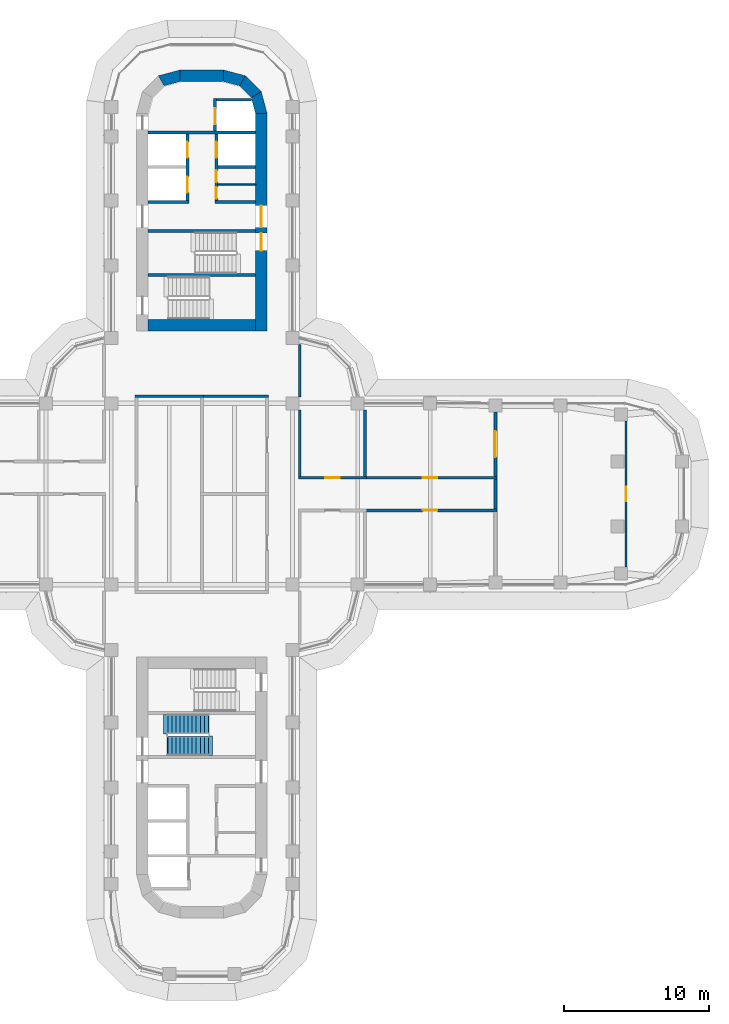
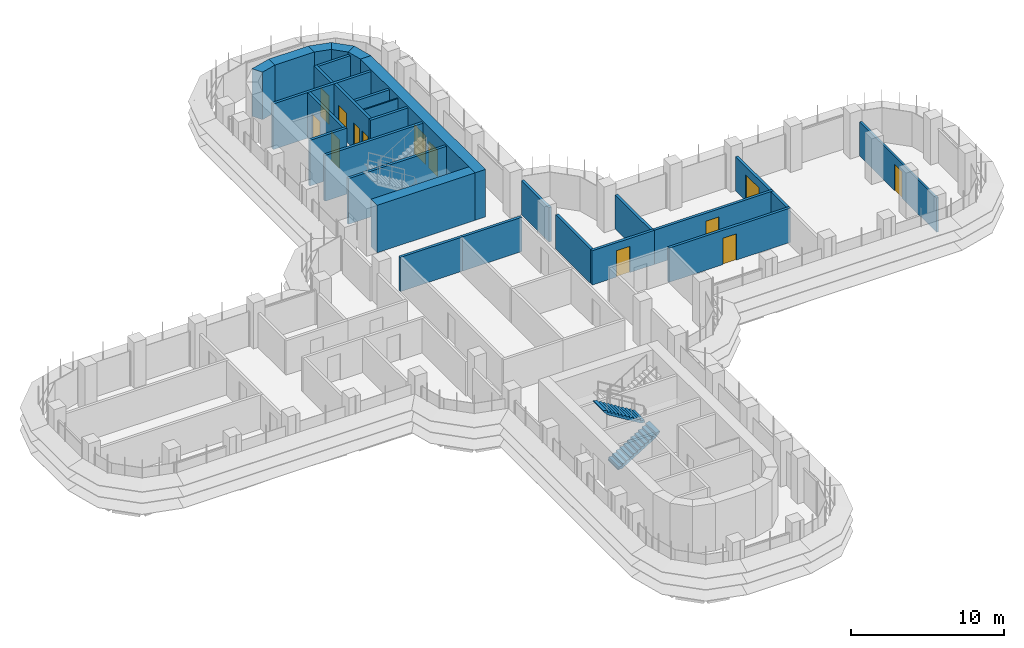
# One storey, part 17 of 22: 29 walls, 13 doors, 2 stair flights, 13 openings, 1 element without a shape of its own.
"""IFC4 building model written with IfcOpenShell, lengths in metres."""

import ifcopenshell
import ifcopenshell.guid

model = None  # the IFC model being written
_history = None  # IfcOwnerHistory: only IFC2X3 demands one
_inside = {}  # id of a spatial element -> (the spatial element, [elements in it])
_under = {}  # id of a project, library or spatial element -> (it, [spatial elements below it])
_declared = {}  # id of a project -> (the project, [libraries it declares])
_typed = {}  # id of a type object -> (the type object, [elements of that type])
_made_of = {}  # id of a material, layer set ... -> (it, [elements and type objects made of it])


def new_model(schema):
    """Start an empty IFC model of exactly this schema.

    Asked for "IFC4X3", IfcOpenShell would pick the latest addendum, in which some entities
    have other attributes; the version numbers below select the first issue.
    IFC2X3 requires an IfcOwnerHistory on every rooted entity: one is made here for all.
    """
    global model, _history
    if schema == "IFC4X3":
        model = ifcopenshell.file(schema_version=(4, 3, 0, 0))
    else:
        model = ifcopenshell.file(schema=schema)
    _inside.clear()
    _under.clear()
    _declared.clear()
    _typed.clear()
    _made_of.clear()
    _history = None
    if model.schema == "IFC2X3":
        org = make("IfcOrganization", Name="unknown")
        user = make(
            "IfcPersonAndOrganization",
            ThePerson=make("IfcPerson", FamilyName="unknown"),
            TheOrganization=org,
        )
        app = make(
            "IfcApplication",
            ApplicationDeveloper=org,
            Version="unknown",
            ApplicationFullName="unknown",
            ApplicationIdentifier="unknown",
        )
        _history = make(
            "IfcOwnerHistory",
            OwningUser=user,
            OwningApplication=app,
            ChangeAction="ADDED",
            CreationDate=0,
        )
    return model


def make(cls, **values):
    """One entity of the class cls with the attributes given. An attribute that is None is left unset."""
    return model.create_entity(
        cls, **{name: value for name, value in values.items() if value is not None}
    )


def rooted(cls, **values):
    """An entity with a GlobalId (a new one), such as an element, a storey or a relation."""
    return make(cls, GlobalId=ifcopenshell.guid.new(), OwnerHistory=_history, **values)


def si_unit(unit_type, name, prefix=None):
    """IfcSIUnit, for example si_unit("LENGTHUNIT", "METRE", prefix="MILLI")."""
    return make("IfcSIUnit", UnitType=unit_type, Prefix=prefix, Name=name)


def assignment(units):
    """IfcUnitAssignment: the units of a project."""
    return None if units is None else make("IfcUnitAssignment", Units=units)


def point(xyz):
    """IfcCartesianPoint."""
    return None if xyz is None else make("IfcCartesianPoint", Coordinates=xyz)


def direction(xyz):
    """IfcDirection."""
    return None if xyz is None else make("IfcDirection", DirectionRatios=xyz)


def frame(location, z_axis=None, x_axis=None):
    """IfcAxis2Placement3D, a coordinate frame: its origin and axes. An axis left out is left unset."""
    return make(
        "IfcAxis2Placement3D",
        Location=point(location),
        Axis=direction(z_axis),
        RefDirection=direction(x_axis),
    )


def frame_2d(location, x_axis=None):
    """IfcAxis2Placement2D, a coordinate frame in the plane: its origin and x axis."""
    return make(
        "IfcAxis2Placement2D", Location=point(location), RefDirection=direction(x_axis)
    )


def origin():
    """The frame at (0, 0, 0) with its axes left unset."""
    return frame((0.0, 0.0, 0.0))


def place(relative_to, where):
    """IfcLocalPlacement: puts the frame where relative to a parent placement (None: the world)."""
    return make(
        "IfcLocalPlacement", PlacementRelTo=relative_to, RelativePlacement=where
    )


def context(
    kind, dimensions, precision=None, world=None, true_north=None, identifier=None
):
    """IfcGeometricRepresentationContext, for example the 3D "Model" context."""
    return make(
        "IfcGeometricRepresentationContext",
        ContextIdentifier=identifier,
        ContextType=kind,
        CoordinateSpaceDimension=dimensions,
        Precision=precision,
        WorldCoordinateSystem=world,
        TrueNorth=true_north,
    )


def subcontext(parent, identifier, kind, view, scale=None):
    """IfcGeometricRepresentationSubContext, for example "Body" below "Model"."""
    return make(
        "IfcGeometricRepresentationSubContext",
        ContextIdentifier=identifier,
        ContextType=kind,
        ParentContext=parent,
        TargetScale=scale,
        TargetView=view,
    )


def project(units=None, contexts=None):
    """IfcProject with its units and contexts."""
    return rooted(
        "IfcProject",
        Name="project",
        RepresentationContexts=contexts,
        UnitsInContext=assignment(units),
    )


def spatial(cls, under=None, at=None, **own):
    """A site, building, storey or space (cls), placed at a placement, below another one or the project."""
    s = rooted(cls, ObjectPlacement=at, **own)
    if under is not None:
        _under.setdefault(under.id(), (under, []))[1].append(s)
    return s


def polyline(points):
    """IfcPolyline through the points."""
    return make("IfcPolyline", Points=[point(p) for p in points])


def profile(cls, at=None, kind="AREA", **sizes):
    """A parametric profile (cls). Its sizes go by their IFC names, for example OverallWidth=200.0."""
    return make(cls, ProfileType=kind, Position=at, **sizes)


def rectangle(**sizes):
    """IfcRectangleProfileDef."""
    return profile("IfcRectangleProfileDef", **sizes)


def outline(outer, holes=None, kind="AREA"):
    """IfcArbitraryClosedProfileDef: a profile drawn as a closed curve; with holes, ...WithVoids."""
    if holes is None:
        return make("IfcArbitraryClosedProfileDef", ProfileType=kind, OuterCurve=outer)
    return make(
        "IfcArbitraryProfileDefWithVoids",
        ProfileType=kind,
        OuterCurve=outer,
        InnerCurves=holes,
    )


def extrude(swept, where, along, depth):
    """IfcExtrudedAreaSolid: the profile swept, set in the frame where, extruded along a direction by depth."""
    return make(
        "IfcExtrudedAreaSolid",
        SweptArea=swept,
        Position=where,
        ExtrudedDirection=direction(along),
        Depth=depth,
    )


def shape(context_of_items, identifier, shape_type, items):
    """IfcShapeRepresentation: the items that make up one representation, for example the "Body"."""
    return make(
        "IfcShapeRepresentation",
        ContextOfItems=context_of_items,
        RepresentationIdentifier=identifier,
        RepresentationType=shape_type,
        Items=items,
    )


def material(Name=None, Category=None):
    """IfcMaterial."""
    return make("IfcMaterial", Name=Name, Category=Category)


def layer(
    of_material, thickness, ventilated=None, Name=None, Category=None, Priority=None
):
    """IfcMaterialLayer: one layer of a wall or slab, of a material (None: an air gap)."""
    return make(
        "IfcMaterialLayer",
        Material=of_material,
        LayerThickness=thickness,
        IsVentilated=ventilated,
        Name=Name,
        Category=Category,
        Priority=Priority,
    )


def layer_set(layers, Name=None):
    """IfcMaterialLayerSet."""
    return make("IfcMaterialLayerSet", MaterialLayers=layers, LayerSetName=Name)


def made_of(thing, what):
    """Note that an element or type object is made of a material, layer set ...; save() writes the relation."""
    if what is not None:
        _made_of.setdefault(what.id(), (what, []))[1].append(thing)
    return thing


def type_object(cls, material=None, **own):
    """A type object (cls), such as IfcWallType, which elements share."""
    return made_of(rooted(cls, **own), material)


def element(
    cls,
    number,
    at=None,
    inside=None,
    cuts=None,
    type_object=None,
    material=None,
    context=None,
    identifier="Body",
    shape_type=None,
    held_by="IfcProductDefinitionShape",
    body=None,
    shapes=None,
    **own,
):
    """One element of the class cls, such as IfcWall. Its Tag is "e" and its number.

    at: its placement. inside: the storey or other place that contains it. cuts: it is an
    opening in that element (IfcRelVoidsElement). A single representation is given by context,
    identifier, shape_type and body (its items); several are given by shapes. held_by: the class
    of the entity that holds the representations. save() writes the other relations.
    """
    e = rooted(cls, Tag="e%d" % number, ObjectPlacement=at, **own)
    if body is not None:
        shapes = [shape(context, identifier, shape_type, body)]
    if shapes is not None:
        e.Representation = make(held_by, Representations=shapes)
    if inside is not None:
        _inside.setdefault(inside.id(), (inside, []))[1].append(e)
    if cuts is not None:
        rooted(
            "IfcRelVoidsElement", RelatingBuildingElement=cuts, RelatedOpeningElement=e
        )
    if type_object is not None:
        _typed.setdefault(type_object.id(), (type_object, []))[1].append(e)
    return made_of(e, material)


def fill(opening, filler):
    """IfcRelFillsElement: the door or window that sits in an opening."""
    return rooted(
        "IfcRelFillsElement",
        RelatingOpeningElement=opening,
        RelatedBuildingElement=filler,
    )


def aggregate(whole, parts):
    """IfcRelAggregates: a whole, such as a stair, and the parts it consists of."""
    return rooted("IfcRelAggregates", RelatingObject=whole, RelatedObjects=parts)


def save(model, path):
    """Write the relations noted so far, then the file.

    IfcRelAggregates (storeys below a building ...), IfcRelContainedInSpatialStructure (elements
    in a storey), IfcRelDefinesByType, IfcRelAssociatesMaterial and IfcRelDeclares: one each for
    every whole, place, type object, material and project.
    """
    for whole, parts in _under.values():
        aggregate(whole, parts)
    for where, things in _inside.values():
        rooted(
            "IfcRelContainedInSpatialStructure",
            RelatedElements=things,
            RelatingStructure=where,
        )
    for kind, things in _typed.values():
        rooted("IfcRelDefinesByType", RelatedObjects=things, RelatingType=kind)
    for what, things in _made_of.values():
        rooted("IfcRelAssociatesMaterial", RelatedObjects=things, RelatingMaterial=what)
    for by, libraries in _declared.values():
        rooted("IfcRelDeclares", RelatingContext=by, RelatedDefinitions=libraries)
    model.write(path)


model = new_model("IFC4")

# Units and contexts
model_context = context("Model", 3, precision=1e-05, world=origin(), true_north=direction((0.0, 1.0)))
body_context = subcontext(model_context, "Body", "Model", "MODEL_VIEW")
ifc_project = project(units=[si_unit("LENGTHUNIT", "METRE"), si_unit("AREAUNIT", "SQUARE_METRE"), si_unit("VOLUMEUNIT", "CUBIC_METRE"), si_unit("PLANEANGLEUNIT", "RADIAN"), si_unit("MASSUNIT", "GRAM", prefix="KILO")], contexts=[model_context])

# Site, building, storey
site_placement = place(None, origin())
site = spatial("IfcSite", under=ifc_project, at=site_placement, CompositionType="ELEMENT")
building_placement = place(site_placement, origin())
building = spatial("IfcBuilding", under=site, at=building_placement, Name="Zarbagh Exchange Tower", CompositionType="ELEMENT")
storey_placement = place(building_placement, frame((0.0, 0.0, 105.60009765625)))
storey = spatial("IfcBuildingStorey", under=building, at=storey_placement, Name="L24", CompositionType="ELEMENT", Elevation=105.60009765625)

# Wall
ifc_material_1 = material(Name="Dense blockwork", Category="masonry")
ifc_layer_1 = layer(ifc_material_1, 0.10009765625)
ifc_layer_set_1 = layer_set([ifc_layer_1], Name="Core partition 100 mm blockwork")
wall_type_1 = type_object("IfcWallType", Name="Core partition 100 mm blockwork", PredefinedType="PARTITIONING", material=ifc_layer_set_1)
wall_1_placement = place(storey_placement, frame((1.10009765625, 21.35009765625, 0.0), z_axis=(0.0, 0.0, 1.0), x_axis=(1.0, 0.0, 0.0)))
element("IfcWall", 1, at=wall_1_placement, inside=storey, type_object=wall_type_1, Name="North core partition wall CUT-E-700", PredefinedType="PARTITIONING", context=body_context, shape_type="SweptSolid", body=[
    extrude(rectangle(XDim=2.599853515625, YDim=0.10009765625, at=frame_2d((1.2998046875, 0.0))), origin(), (0.0, 0.0, 1.0), 3.64990234375),
])

# Wall, opening, door
ifc_material_2 = material(Name="Plasterboard partition")
ifc_layer_2 = layer(ifc_material_2, 0.14990234375)
ifc_layer_set_2 = layer_set([ifc_layer_2], Name="PARTITION 150")
wall_type_2 = type_object("IfcWallType", Name="PARTITION 150", PredefinedType="PARTITIONING", material=ifc_layer_set_2)
wall_2_placement = place(storey_placement, frame((29.25, 5.02490234375, 0.0), z_axis=(0.0, 0.0, 1.0), x_axis=(0.0, -1.0, 0.0)))
wall_2 = element("IfcWall", 2, at=wall_2_placement, inside=storey, type_object=wall_type_2, Name="Partition W-828", PredefinedType="PARTITIONING", context=body_context, shape_type="SweptSolid", body=[
    extrude(rectangle(XDim=10.0498046875, YDim=0.14990234375, at=frame_2d((5.02490234375, 0.0))), origin(), (0.0, 0.0, 1.0), 2.738037109375),
])
opening_1_placement = place(wall_2_placement, frame((4.52490234375, 0.0, 0.0)))
opening_1 = element("IfcOpeningElement", 3, at=opening_1_placement, cuts=wall_2, Name="Opening D-804", PredefinedType="OPENING", context=body_context, shape_type="SweptSolid", body=[
    extrude(rectangle(XDim=1.0, YDim=2.10009765625, at=frame_2d((0.5, 1.050048828125))), frame((0.0, 0.0849609375, 0.0), z_axis=(0.0, -1.0, 0.0), x_axis=(1.0, 0.0, 0.0)), (0.0, 0.0, 1.0), 0.169921875),
])
ifc_material_3 = material(Name="Timber door leaf", Category="wood")
door_type_1 = type_object("IfcDoorType", Name="DOOR 1000 X 2100", OperationType="NOTDEFINED", PredefinedType="DOOR", material=ifc_material_3)
door_1_placement = place(opening_1_placement, origin())
door_1 = element("IfcDoor", 4, at=door_1_placement, inside=storey, type_object=door_type_1, Name="Door D-804", OperationType="SINGLE_SWING_RIGHT", OverallHeight=2.10009765625, OverallWidth=1.0, PredefinedType="DOOR", context=body_context, shape_type="SweptSolid", body=[
    extrude(rectangle(XDim=1.0, YDim=2.10009765625, at=frame_2d((0.5, 1.050048828125))), frame((0.0, 0.02490234375, 0.0), z_axis=(0.0, -1.0, 0.0), x_axis=(1.0, 0.0, 0.0)), (0.0, 0.0, 1.0), 0.050048828125),
])
fill(opening_1, door_1)

# Walls
ifc_material_4 = material(Name="Fire-rated plasterboard partition")
ifc_layer_3 = layer(ifc_material_4, 0.199951171875)
ifc_layer_set_3 = layer_set([ifc_layer_3], Name="RATED PARTITION 200")
wall_type_3 = type_object("IfcWallType", Name="RATED PARTITION 200", PredefinedType="PARTITIONING", material=ifc_layer_set_3)
wall_3_placement = place(storey_placement, frame((6.75, 1.22509765625, 0.0), z_axis=(0.0, 0.0, 1.0), x_axis=(0.0, 1.0, 0.0)))
element("IfcWall", 5, at=wall_3_placement, inside=storey, type_object=wall_type_3, Name="Partition W-808", PredefinedType="PARTITIONING", context=body_context, shape_type="SweptSolid", body=[
    extrude(rectangle(XDim=4.574951171875, YDim=0.199951171875, at=frame_2d((2.28759765625, 0.0))), origin(), (0.0, 0.0, 1.0), 2.738037109375),
])
wall_4_placement = place(storey_placement, frame((6.75, 6.699951171875, 0.0), z_axis=(0.0, 0.0, 1.0), x_axis=(0.0, 1.0, 0.0)))
element("IfcWall", 6, at=wall_4_placement, inside=storey, type_object=wall_type_3, Name="Partition W-809", PredefinedType="PARTITIONING", context=body_context, shape_type="SweptSolid", body=[
    extrude(rectangle(XDim=3.60009765625, YDim=0.199951171875, at=frame_2d((1.800048828125, 0.0))), origin(), (0.0, 0.0, 1.0), 2.738037109375),
])
for number, where, z_axis, x_axis, name in (
    (7, (-4.60009765625, 6.75, 0.0), (0.0, 0.0, 1.0), (1.0, 0.0, 0.0), "Partition W-812"),
    (8, (-0.10009765625, 6.75, 0.0), (0.0, 0.0, 1.0), (1.0, 0.0, 0.0), "Partition W-813"),
):
    element("IfcWall", number, at=place(storey_placement, frame(where, z_axis=z_axis, x_axis=x_axis)), inside=storey, type_object=wall_type_3, Name=name, PredefinedType="PARTITIONING", context=body_context, shape_type="SweptSolid", body=[
        extrude(rectangle(XDim=4.7001953125, YDim=0.199951171875, at=frame_2d((2.35009765625, 0.0))), origin(), (0.0, 0.0, 1.0), 2.738037109375),
    ])

# Wall, opening, door
wall_5_placement = place(storey_placement, frame((6.64990234375, 1.125, 0.0), z_axis=(0.0, 0.0, 1.0), x_axis=(1.0, 0.0, 0.0)))
wall_5 = element("IfcWall", 9, at=wall_5_placement, inside=storey, type_object=wall_type_3, Name="Partition W-819", PredefinedType="PARTITIONING", context=body_context, shape_type="SweptSolid", body=[
    extrude(rectangle(XDim=4.7001953125, YDim=0.199951171875, at=frame_2d((2.35009765625, 0.0))), origin(), (0.0, 0.0, 1.0), 2.738037109375),
])
opening_2_placement = place(wall_5_placement, frame((1.85009765625, 0.0, 0.0)))
opening_2 = element("IfcOpeningElement", 10, at=opening_2_placement, cuts=wall_5, Name="Opening D-806", PredefinedType="OPENING", context=body_context, shape_type="SweptSolid", body=[
    extrude(rectangle(XDim=1.0, YDim=2.10009765625, at=frame_2d((0.5, 1.050048828125))), frame((0.0, 0.10986328125, 0.0), z_axis=(0.0, -1.0, 0.0), x_axis=(1.0, 0.0, 0.0)), (0.0, 0.0, 1.0), 0.219970703125),
])
ifc_material_5 = material(Name="Steel door set", Category="steel")
door_type_2 = type_object("IfcDoorType", Name="FIRE DOOR 1000 X 2100 FD30S", OperationType="NOTDEFINED", PredefinedType="DOOR", material=ifc_material_5)
door_2_placement = place(opening_2_placement, origin())
door_2 = element("IfcDoor", 11, at=door_2_placement, inside=storey, type_object=door_type_2, Name="Door D-806", OperationType="SINGLE_SWING_RIGHT", OverallHeight=2.10009765625, OverallWidth=1.0, PredefinedType="DOOR", context=body_context, shape_type="SweptSolid", body=[
    extrude(rectangle(XDim=1.0, YDim=2.10009765625, at=frame_2d((0.5, 1.050048828125))), frame((0.0, 0.02490234375, 0.0), z_axis=(0.0, -1.0, 0.0), x_axis=(1.0, 0.0, 0.0)), (0.0, 0.0, 1.0), 0.050048828125),
])
fill(opening_2, door_2)

wall_6_placement = place(storey_placement, frame((11.14990234375, 1.125, 0.0), z_axis=(0.0, 0.0, 1.0), x_axis=(1.0, 0.0, 0.0)))
wall_6 = element("IfcWall", 12, at=wall_6_placement, inside=storey, type_object=wall_type_3, Name="Partition W-821", PredefinedType="PARTITIONING", context=body_context, shape_type="SweptSolid", body=[
    extrude(rectangle(XDim=9.2001953125, YDim=0.199951171875, at=frame_2d((4.60009765625, 0.0))), origin(), (0.0, 0.0, 1.0), 2.738037109375),
])
opening_3_placement = place(wall_6_placement, frame((4.10009765625, 0.0, 0.0)))
opening_3 = element("IfcOpeningElement", 13, at=opening_3_placement, cuts=wall_6, Name="Opening D-807", PredefinedType="OPENING", context=body_context, shape_type="SweptSolid", body=[
    extrude(rectangle(XDim=1.0, YDim=2.10009765625, at=frame_2d((0.5, 1.050048828125))), frame((0.0, 0.10986328125, 0.0), z_axis=(0.0, -1.0, 0.0), x_axis=(1.0, 0.0, 0.0)), (0.0, 0.0, 1.0), 0.219970703125),
])
door_3_placement = place(opening_3_placement, origin())
door_3 = element("IfcDoor", 14, at=door_3_placement, inside=storey, type_object=door_type_2, Name="Door D-807", OperationType="SINGLE_SWING_LEFT", OverallHeight=2.10009765625, OverallWidth=1.0, PredefinedType="DOOR", context=body_context, shape_type="SweptSolid", body=[
    extrude(rectangle(XDim=1.0, YDim=2.10009765625, at=frame_2d((0.5, 1.050048828125))), frame((0.0, 0.02490234375, 0.0), z_axis=(0.0, -1.0, 0.0), x_axis=(1.0, 0.0, 0.0)), (0.0, 0.0, 1.0), 0.050048828125),
])
fill(opening_3, door_3)

wall_7_placement = place(storey_placement, frame((20.35009765625, -1.125, 0.0), z_axis=(0.0, 0.0, 1.0), x_axis=(-1.0, 0.0, 0.0)))
wall_7 = element("IfcWall", 15, at=wall_7_placement, inside=storey, type_object=wall_type_3, Name="Partition W-822", PredefinedType="PARTITIONING", context=body_context, shape_type="SweptSolid", body=[
    extrude(rectangle(XDim=9.2001953125, YDim=0.199951171875, at=frame_2d((4.60009765625, 0.0))), origin(), (0.0, 0.0, 1.0), 2.738037109375),
])
opening_4_placement = place(wall_7_placement, frame((4.10009765625, 0.0, 0.0)))
opening_4 = element("IfcOpeningElement", 16, at=opening_4_placement, cuts=wall_7, Name="Opening D-809", PredefinedType="OPENING", context=body_context, shape_type="SweptSolid", body=[
    extrude(rectangle(XDim=1.0, YDim=2.10009765625, at=frame_2d((0.5, 1.050048828125))), frame((0.0, 0.10986328125, 0.0), z_axis=(0.0, -1.0, 0.0), x_axis=(1.0, 0.0, 0.0)), (0.0, 0.0, 1.0), 0.219970703125),
])
door_4_placement = place(opening_4_placement, origin())
door_4 = element("IfcDoor", 17, at=door_4_placement, inside=storey, type_object=door_type_2, Name="Door D-809", OperationType="SINGLE_SWING_RIGHT", OverallHeight=2.10009765625, OverallWidth=1.0, PredefinedType="DOOR", context=body_context, shape_type="SweptSolid", body=[
    extrude(rectangle(XDim=1.0, YDim=2.10009765625, at=frame_2d((0.5, 1.050048828125))), frame((0.0, 0.02490234375, 0.0), z_axis=(0.0, -1.0, 0.0), x_axis=(1.0, 0.0, 0.0)), (0.0, 0.0, 1.0), 0.050048828125),
])
fill(opening_4, door_4)

# Walls
wall_8_placement = place(storey_placement, frame((20.25, -1.02490234375, 0.0), z_axis=(0.0, 0.0, 1.0), x_axis=(0.0, 1.0, 0.0)))
element("IfcWall", 18, at=wall_8_placement, inside=storey, type_object=wall_type_3, Name="Partition W-823", PredefinedType="PARTITIONING", context=body_context, shape_type="SweptSolid", body=[
    extrude(rectangle(XDim=2.0498046875, YDim=0.199951171875, at=frame_2d((1.02490234375, 0.0))), origin(), (0.0, 0.0, 1.0), 2.738037109375),
])
wall_9_placement = place(storey_placement, frame((11.25, 1.22509765625, 0.0), z_axis=(0.0, 0.0, 1.0), x_axis=(0.0, 1.0, 0.0)))
element("IfcWall", 19, at=wall_9_placement, inside=storey, type_object=wall_type_3, Name="Partition W-824", PredefinedType="PARTITIONING", context=body_context, shape_type="SweptSolid", body=[
    extrude(rectangle(XDim=4.574951171875, YDim=0.199951171875, at=frame_2d((2.28759765625, 0.0))), origin(), (0.0, 0.0, 1.0), 2.738037109375),
])

# Wall, opening, door
wall_10_placement = place(storey_placement, frame((20.25, 5.659912109375, 0.0), z_axis=(0.0, 0.0, 1.0), x_axis=(0.0, -1.0, 0.0)))
wall_10 = element("IfcWall", 20, at=wall_10_placement, inside=storey, type_object=wall_type_3, Name="Partition W-826", PredefinedType="PARTITIONING", context=body_context, shape_type="SweptSolid", body=[
    extrude(rectangle(XDim=4.434814453125, YDim=0.199951171875, at=frame_2d((2.21728515625, 0.0))), origin(), (0.0, 0.0, 1.0), 2.738037109375),
])
opening_5_placement = place(wall_10_placement, frame((1.3173828125, 0.0, 0.0)))
opening_5 = element("IfcOpeningElement", 21, at=opening_5_placement, cuts=wall_10, Name="Opening D-805", PredefinedType="OPENING", context=body_context, shape_type="SweptSolid", body=[
    extrude(rectangle(XDim=1.800048828125, YDim=2.10009765625, at=frame_2d((0.89990234375, 1.050048828125))), frame((0.0, 0.10986328125, 0.0), z_axis=(0.0, -1.0, 0.0), x_axis=(1.0, 0.0, 0.0)), (0.0, 0.0, 1.0), 0.219970703125),
])
door_type_3 = type_object("IfcDoorType", Name="FIRE DOUBLE DOOR 1800 X 2100 FD30S", OperationType="DOUBLE_DOOR_SINGLE_SWING", PredefinedType="DOOR", material=ifc_material_5)
door_5_placement = place(opening_5_placement, origin())
door_5 = element("IfcDoor", 22, at=door_5_placement, inside=storey, type_object=door_type_3, Name="Door D-805", OperationType="DOUBLE_DOOR_SINGLE_SWING", OverallHeight=2.10009765625, OverallWidth=1.800048828125, PredefinedType="DOOR", context=body_context, shape_type="SweptSolid", body=[
    extrude(rectangle(XDim=1.800048828125, YDim=2.10009765625, at=frame_2d((0.89990234375, 1.050048828125))), frame((0.0, 0.02490234375, 0.0), z_axis=(0.0, -1.0, 0.0), x_axis=(1.0, 0.0, 0.0)), (0.0, 0.0, 1.0), 0.050048828125),
])
fill(opening_5, door_5)

# Walls
ifc_material_6 = material(Name="Concrete C60/75", Category="concrete")
ifc_layer_4 = layer(ifc_material_6, 0.800048828125)
ifc_layer_set_4 = layer_set([ifc_layer_4], Name="RC core corner wall 800 C60/75")
wall_type_4 = type_object("IfcWallType", Name="RC core corner wall 800 C60/75", PredefinedType="SHEAR", material=ifc_layer_set_4)
wall_11_placement = place(storey_placement, origin())
element("IfcWall", 23, at=wall_11_placement, inside=storey, type_object=wall_type_4, Name="CW4 core N corner W", PredefinedType="SHEAR", context=body_context, shape_type="SweptSolid", body=[
    extrude(outline(polyline([(-3.0, 28.84814453125), (-1.5, 29.25), (-1.5, 28.449951171875), (-2.60009765625, 28.1552734375), (-3.0, 28.84814453125)])), origin(), (0.0, 0.0, 1.0), 3.7998046875),
])
wall_12_placement = place(storey_placement, origin())
element("IfcWall", 24, at=wall_12_placement, inside=storey, type_object=wall_type_4, Name="CW4 core N corner E", PredefinedType="SHEAR", context=body_context, shape_type="SweptSolid", body=[
    extrude(outline(polyline([(4.5, 26.25), (4.09814453125, 27.75), (3.4052734375, 27.35009765625), (3.699951171875, 26.25), (4.5, 26.25)])), origin(), (0.0, 0.0, 1.0), 3.7998046875),
])
wall_13_placement = place(storey_placement, origin())
element("IfcWall", 25, at=wall_13_placement, inside=storey, type_object=wall_type_4, Name="CW4 core N corner E", PredefinedType="SHEAR", context=body_context, shape_type="SweptSolid", body=[
    extrude(outline(polyline([(4.09814453125, 27.75), (3.0, 28.84814453125), (2.60009765625, 28.1552734375), (3.4052734375, 27.35009765625), (4.09814453125, 27.75)])), origin(), (0.0, 0.0, 1.0), 3.7998046875),
])
wall_14_placement = place(storey_placement, origin())
element("IfcWall", 26, at=wall_14_placement, inside=storey, type_object=wall_type_4, Name="CW4 core N corner E", PredefinedType="SHEAR", context=body_context, shape_type="SweptSolid", body=[
    extrude(outline(polyline([(3.0, 28.84814453125), (1.5, 29.25), (1.5, 28.449951171875), (2.60009765625, 28.1552734375), (3.0, 28.84814453125)])), origin(), (0.0, 0.0, 1.0), 3.7998046875),
])

# Wall, openings, doors
ifc_layer_5 = layer(ifc_material_6, 0.800048828125)
ifc_layer_set_5 = layer_set([ifc_layer_5], Name="RC core wall 800 C60/75")
wall_type_5 = type_object("IfcWallType", Name="RC core wall 800 C60/75", PredefinedType="SHEAR", material=ifc_layer_set_5)
wall_15_placement = place(storey_placement, frame((4.10009765625, 11.25, 0.0), z_axis=(0.0, 0.0, 1.0), x_axis=(0.0, 1.0, 0.0)))
wall_15 = element("IfcWall", 27, at=wall_15_placement, inside=storey, type_object=wall_type_5, Name="CW3 core N E", PredefinedType="SHEAR", context=body_context, shape_type="SweptSolid", body=[
    extrude(rectangle(XDim=15.0, YDim=0.800048828125, at=frame_2d((7.5, 0.0))), origin(), (0.0, 0.0, 1.0), 3.7998046875),
])
opening_6_placement = place(wall_15_placement, frame((7.14990234375, 0.0, 0.0)))
opening_6 = element("IfcOpeningElement", 28, at=opening_6_placement, cuts=wall_15, Name="Opening CD1-1500", PredefinedType="OPENING", context=body_context, shape_type="SweptSolid", body=[
    extrude(rectangle(XDim=1.5, YDim=2.300048828125, at=frame_2d((0.75, 1.14990234375))), frame((0.0, 0.409912109375, 0.0), z_axis=(0.0, -1.0, 0.0), x_axis=(1.0, 0.0, 0.0)), (0.0, 0.0, 1.0), 0.820068359375),
])
opening_7_placement = place(wall_15_placement, frame((5.550048828125, 0.0, 0.0)))
opening_7 = element("IfcOpeningElement", 29, at=opening_7_placement, cuts=wall_15, Name="Opening SD1-1200", PredefinedType="OPENING", context=body_context, shape_type="SweptSolid", body=[
    extrude(rectangle(XDim=1.199951171875, YDim=2.10009765625, at=frame_2d((0.60009765625, 1.050048828125))), frame((0.0, 0.409912109375, 0.0), z_axis=(0.0, -1.0, 0.0), x_axis=(1.0, 0.0, 0.0)), (0.0, 0.0, 1.0), 0.820068359375),
])
ifc_material_7 = material(Name="Steel", Category="steel")
door_type_4 = type_object("IfcDoorType", Name="Exit stair door 1200 x 2100", OperationType="NOTDEFINED", PredefinedType="DOOR", material=ifc_material_7)
door_6_placement = place(opening_7_placement, origin())
door_6 = element("IfcDoor", 30, at=door_6_placement, inside=storey, type_object=door_type_4, Name="North core stair door ST1", OperationType="SINGLE_SWING_LEFT", OverallHeight=2.10009765625, OverallWidth=1.199951171875, PredefinedType="DOOR", context=body_context, shape_type="SweptSolid", body=[
    extrude(rectangle(XDim=1.199951171875, YDim=2.10009765625, at=frame_2d((0.60009765625, 1.050048828125))), frame((0.0, 0.02490234375, 0.0), z_axis=(0.0, -1.0, 0.0), x_axis=(1.0, 0.0, 0.0)), (0.0, 0.0, 1.0), 0.050048828125),
])
fill(opening_7, door_6)
door_type_5 = type_object("IfcDoorType", Name="Lift lobby double door 1500 x 2300", OperationType="NOTDEFINED", PredefinedType="DOOR", material=ifc_material_7)
door_7_placement = place(opening_6_placement, origin())
door_7 = element("IfcDoor", 31, at=door_7_placement, inside=storey, type_object=door_type_5, Name="North core lift lobby door LOBBY-E", OperationType="DOUBLE_DOOR_SINGLE_SWING", OverallHeight=2.300048828125, OverallWidth=1.5, PredefinedType="DOOR", context=body_context, shape_type="SweptSolid", body=[
    extrude(rectangle(XDim=1.5, YDim=2.300048828125, at=frame_2d((0.75, 1.14990234375))), frame((0.0, 0.02490234375, 0.0), z_axis=(0.0, -1.0, 0.0), x_axis=(1.0, 0.0, 0.0)), (0.0, 0.0, 1.0), 0.050048828125),
])
fill(opening_6, door_7)

# Walls
wall_16_placement = place(storey_placement, frame((-3.699951171875, 11.64990234375, 0.0), z_axis=(0.0, 0.0, 1.0), x_axis=(1.0, 0.0, 0.0)))
element("IfcWall", 32, at=wall_16_placement, inside=storey, type_object=wall_type_5, Name="CW3 core N inner end", PredefinedType="SHEAR", context=body_context, shape_type="SweptSolid", body=[
    extrude(rectangle(XDim=7.39990234375, YDim=0.800048828125, at=frame_2d((3.699951171875, 0.0))), origin(), (0.0, 0.0, 1.0), 3.7998046875),
])
wall_17_placement = place(storey_placement, frame((-1.5, 28.85009765625, 0.0), z_axis=(0.0, 0.0, 1.0), x_axis=(1.0, 0.0, 0.0)))
element("IfcWall", 33, at=wall_17_placement, inside=storey, type_object=wall_type_5, Name="CW3 core N outer end", PredefinedType="SHEAR", context=body_context, shape_type="SweptSolid", body=[
    extrude(rectangle(XDim=3.0, YDim=0.800048828125, at=frame_2d((1.5, 0.0))), origin(), (0.0, 0.0, 1.0), 3.7998046875),
])
ifc_layer_6 = layer(ifc_material_1, 0.199951171875)
ifc_layer_set_6 = layer_set([ifc_layer_6], Name="Shaft wall 200 mm blockwork")
wall_type_6 = type_object("IfcWallType", Name="Shaft wall 200 mm blockwork", PredefinedType="PARTITIONING", material=ifc_layer_set_6)
wall_18_placement = place(storey_placement, frame((-3.699951171875, 20.14990234375, 0.0), z_axis=(0.0, 0.0, 1.0), x_axis=(1.0, 0.0, 0.0)))
element("IfcWall", 34, at=wall_18_placement, inside=storey, type_object=wall_type_6, Name="North core shaft wall AB-W", PredefinedType="PARTITIONING", context=body_context, shape_type="SweptSolid", body=[
    extrude(rectangle(XDim=2.800048828125, YDim=0.199951171875, at=frame_2d((1.39990234375, 0.0))), origin(), (0.0, 0.0, 1.0), 3.64990234375),
])

# Wall, openings, doors
wall_19_placement = place(storey_placement, frame((-1.0, 24.85009765625, 0.0), z_axis=(0.0, 0.0, 1.0), x_axis=(0.0, -1.0, 0.0)))
wall_19 = element("IfcWall", 35, at=wall_19_placement, inside=storey, type_object=wall_type_6, Name="North core shaft wall LW-W", PredefinedType="PARTITIONING", context=body_context, shape_type="SweptSolid", body=[
    extrude(rectangle(XDim=4.60009765625, YDim=0.199951171875, at=frame_2d((2.300048828125, 0.0))), origin(), (0.0, 0.0, 1.0), 3.64990234375),
])
opening_8_placement = place(wall_19_placement, frame((0.550048828125, 0.0, 0.0)))
opening_8 = element("IfcOpeningElement", 36, at=opening_8_placement, cuts=wall_19, Name="Opening LD-1100", PredefinedType="OPENING", context=body_context, shape_type="SweptSolid", body=[
    extrude(rectangle(XDim=1.10009765625, YDim=2.300048828125, at=frame_2d((0.550048828125, 1.14990234375))), frame((0.0, 0.10986328125, 0.0), z_axis=(0.0, -1.0, 0.0), x_axis=(1.0, 0.0, 0.0)), (0.0, 0.0, 1.0), 0.219970703125),
])
opening_9_placement = place(wall_19_placement, frame((2.949951171875, 0.0, 0.0)))
opening_9 = element("IfcOpeningElement", 37, at=opening_9_placement, cuts=wall_19, Name="Opening LD-1100", PredefinedType="OPENING", context=body_context, shape_type="SweptSolid", body=[
    extrude(rectangle(XDim=1.10009765625, YDim=2.300048828125, at=frame_2d((0.550048828125, 1.14990234375))), frame((0.0, 0.10986328125, 0.0), z_axis=(0.0, -1.0, 0.0), x_axis=(1.0, 0.0, 0.0)), (0.0, 0.0, 1.0), 0.219970703125),
])
ifc_material_8 = material(Name="Stainless steel", Category="steel")
door_type_6 = type_object("IfcDoorType", Name="Lift landing door 1100 x 2300", OperationType="NOTDEFINED", PredefinedType="DOOR", material=ifc_material_8)
door_8_placement = place(opening_8_placement, origin())
door_8 = element("IfcDoor", 38, at=door_8_placement, inside=storey, type_object=door_type_6, Name="North core lift landing door LD-P-N1", OperationType="DOUBLE_DOOR_SLIDING", OverallHeight=2.300048828125, OverallWidth=1.10009765625, PredefinedType="DOOR", context=body_context, shape_type="SweptSolid", body=[
    extrude(rectangle(XDim=1.10009765625, YDim=2.300048828125, at=frame_2d((0.550048828125, 1.14990234375))), frame((0.0, 0.02490234375, 0.0), z_axis=(0.0, -1.0, 0.0), x_axis=(1.0, 0.0, 0.0)), (0.0, 0.0, 1.0), 0.050048828125),
])
fill(opening_8, door_8)
door_9_placement = place(opening_9_placement, origin())
door_9 = element("IfcDoor", 39, at=door_9_placement, inside=storey, type_object=door_type_6, Name="North core lift landing door LD-P-N2", OperationType="DOUBLE_DOOR_SLIDING", OverallHeight=2.300048828125, OverallWidth=1.10009765625, PredefinedType="DOOR", context=body_context, shape_type="SweptSolid", body=[
    extrude(rectangle(XDim=1.10009765625, YDim=2.300048828125, at=frame_2d((0.550048828125, 1.14990234375))), frame((0.0, 0.02490234375, 0.0), z_axis=(0.0, -1.0, 0.0), x_axis=(1.0, 0.0, 0.0)), (0.0, 0.0, 1.0), 0.050048828125),
])
fill(opening_9, door_9)

# Wall
wall_20_placement = place(storey_placement, frame((0.89990234375, 20.14990234375, 0.0), z_axis=(0.0, 0.0, 1.0), x_axis=(1.0, 0.0, 0.0)))
element("IfcWall", 40, at=wall_20_placement, inside=storey, type_object=wall_type_6, Name="North core shaft wall AB-E", PredefinedType="PARTITIONING", context=body_context, shape_type="SweptSolid", body=[
    extrude(rectangle(XDim=2.800048828125, YDim=0.199951171875, at=frame_2d((1.39990234375, 0.0))), origin(), (0.0, 0.0, 1.0), 3.64990234375),
])

# Wall, openings, doors
wall_21_placement = place(storey_placement, frame((1.0, 24.85009765625, 0.0), z_axis=(0.0, 0.0, 1.0), x_axis=(0.0, -1.0, 0.0)))
wall_21 = element("IfcWall", 41, at=wall_21_placement, inside=storey, type_object=wall_type_6, Name="North core shaft wall LW-E", PredefinedType="PARTITIONING", context=body_context, shape_type="SweptSolid", body=[
    extrude(rectangle(XDim=4.60009765625, YDim=0.199951171875, at=frame_2d((2.300048828125, 0.0))), origin(), (0.0, 0.0, 1.0), 3.64990234375),
])
opening_10_placement = place(wall_21_placement, frame((0.550048828125, 0.0, 0.0)))
opening_10 = element("IfcOpeningElement", 42, at=opening_10_placement, cuts=wall_21, Name="Opening LD-1100", PredefinedType="OPENING", context=body_context, shape_type="SweptSolid", body=[
    extrude(rectangle(XDim=1.10009765625, YDim=2.300048828125, at=frame_2d((0.550048828125, 1.14990234375))), frame((0.0, 0.10986328125, 0.0), z_axis=(0.0, -1.0, 0.0), x_axis=(1.0, 0.0, 0.0)), (0.0, 0.0, 1.0), 0.219970703125),
])
opening_11_placement = place(wall_21_placement, frame((2.52490234375, 0.0, 0.0)))
opening_11 = element("IfcOpeningElement", 43, at=opening_11_placement, cuts=wall_21, Name="Opening CD3-800", PredefinedType="OPENING", context=body_context, shape_type="SweptSolid", body=[
    extrude(rectangle(XDim=0.800048828125, YDim=2.10009765625, at=frame_2d((0.39990234375, 1.050048828125))), frame((0.0, 0.10986328125, 0.0), z_axis=(0.0, -1.0, 0.0), x_axis=(1.0, 0.0, 0.0)), (0.0, 0.0, 1.0), 0.219970703125),
])
opening_12_placement = place(wall_21_placement, frame((3.675048828125, 0.0, 0.0)))
opening_12 = element("IfcOpeningElement", 44, at=opening_12_placement, cuts=wall_21, Name="Opening CD3-800", PredefinedType="OPENING", context=body_context, shape_type="SweptSolid", body=[
    extrude(rectangle(XDim=0.800048828125, YDim=2.10009765625, at=frame_2d((0.39990234375, 1.050048828125))), frame((0.0, 0.10986328125, 0.0), z_axis=(0.0, -1.0, 0.0), x_axis=(1.0, 0.0, 0.0)), (0.0, 0.0, 1.0), 0.219970703125),
])
door_type_7 = type_object("IfcDoorType", Name="Core room door 800 x 2100", OperationType="NOTDEFINED", PredefinedType="DOOR", material=ifc_material_7)
door_10_placement = place(opening_11_placement, origin())
door_10 = element("IfcDoor", 45, at=door_10_placement, inside=storey, type_object=door_type_7, Name="North core Store door RD-E-0", OperationType="SINGLE_SWING_RIGHT", OverallHeight=2.10009765625, OverallWidth=0.800048828125, PredefinedType="DOOR", context=body_context, shape_type="SweptSolid", body=[
    extrude(rectangle(XDim=0.800048828125, YDim=2.10009765625, at=frame_2d((0.39990234375, 1.050048828125))), frame((0.0, 0.02490234375, 0.0), z_axis=(0.0, -1.0, 0.0), x_axis=(1.0, 0.0, 0.0)), (0.0, 0.0, 1.0), 0.050048828125),
])
fill(opening_11, door_10)
door_11_placement = place(opening_12_placement, origin())
door_11 = element("IfcDoor", 46, at=door_11_placement, inside=storey, type_object=door_type_7, Name="North core IT room door RD-E-1", OperationType="SINGLE_SWING_RIGHT", OverallHeight=2.10009765625, OverallWidth=0.800048828125, PredefinedType="DOOR", context=body_context, shape_type="SweptSolid", body=[
    extrude(rectangle(XDim=0.800048828125, YDim=2.10009765625, at=frame_2d((0.39990234375, 1.050048828125))), frame((0.0, 0.02490234375, 0.0), z_axis=(0.0, -1.0, 0.0), x_axis=(1.0, 0.0, 0.0)), (0.0, 0.0, 1.0), 0.050048828125),
])
fill(opening_12, door_11)
door_12_placement = place(opening_10_placement, origin())
door_12 = element("IfcDoor", 47, at=door_12_placement, inside=storey, type_object=door_type_6, Name="North core lift landing door LD-P-N3", OperationType="DOUBLE_DOOR_SLIDING", OverallHeight=2.300048828125, OverallWidth=1.10009765625, PredefinedType="DOOR", context=body_context, shape_type="SweptSolid", body=[
    extrude(rectangle(XDim=1.10009765625, YDim=2.300048828125, at=frame_2d((0.550048828125, 1.14990234375))), frame((0.0, 0.02490234375, 0.0), z_axis=(0.0, -1.0, 0.0), x_axis=(1.0, 0.0, 0.0)), (0.0, 0.0, 1.0), 0.050048828125),
])
fill(opening_10, door_12)

# Walls
wall_22_placement = place(storey_placement, frame((1.10009765625, 22.550048828125, 0.0), z_axis=(0.0, 0.0, 1.0), x_axis=(1.0, 0.0, 0.0)))
element("IfcWall", 48, at=wall_22_placement, inside=storey, type_object=wall_type_6, Name="North core shaft wall TR-E", PredefinedType="PARTITIONING", context=body_context, shape_type="SweptSolid", body=[
    extrude(rectangle(XDim=2.599853515625, YDim=0.199951171875, at=frame_2d((1.2998046875, 0.0))), origin(), (0.0, 0.0, 1.0), 3.64990234375),
])
ifc_material_9 = material(Name="Concrete C40/50", Category="concrete")
ifc_layer_7 = layer(ifc_material_9, 0.199951171875)
ifc_layer_set_7 = layer_set([ifc_layer_7], Name="Stair enclosure wall 200 mm RC C40/50")
wall_type_7 = type_object("IfcWallType", Name="Stair enclosure wall 200 mm RC C40/50", PredefinedType="SHEAR", material=ifc_layer_set_7)
wall_23_placement = place(storey_placement, frame((-3.699951171875, 24.949951171875, 0.0), z_axis=(0.0, 0.0, 1.0), x_axis=(1.0, 0.0, 0.0)))
element("IfcWall", 49, at=wall_23_placement, inside=storey, type_object=wall_type_7, Name="North core lift shaft wall FFA", PredefinedType="SHEAR", context=body_context, shape_type="SweptSolid", body=[
    extrude(rectangle(XDim=7.39990234375, YDim=0.199951171875, at=frame_2d((3.699951171875, 0.0))), origin(), (0.0, 0.0, 1.0), 3.64990234375),
])

# Wall, opening, door
wall_24_placement = place(storey_placement, frame((0.89990234375, 27.300048828125, 0.0), z_axis=(0.0, 0.0, 1.0), x_axis=(0.0, -1.0, 0.0)))
wall_24 = element("IfcWall", 50, at=wall_24_placement, inside=storey, type_object=wall_type_7, Name="North core lift shaft wall FFL", PredefinedType="SHEAR", context=body_context, shape_type="SweptSolid", body=[
    extrude(rectangle(XDim=2.25, YDim=0.199951171875, at=frame_2d((1.125, 0.0))), origin(), (0.0, 0.0, 1.0), 3.64990234375),
])
opening_13_placement = place(wall_24_placement, frame((0.699951171875, 0.0, 0.0)))
opening_13 = element("IfcOpeningElement", 51, at=opening_13_placement, cuts=wall_24, Name="Opening LD-1100", PredefinedType="OPENING", context=body_context, shape_type="SweptSolid", body=[
    extrude(rectangle(XDim=1.10009765625, YDim=2.300048828125, at=frame_2d((0.550048828125, 1.14990234375))), frame((0.0, 0.10986328125, 0.0), z_axis=(0.0, -1.0, 0.0), x_axis=(1.0, 0.0, 0.0)), (0.0, 0.0, 1.0), 0.219970703125),
])
door_13_placement = place(opening_13_placement, origin())
door_13 = element("IfcDoor", 52, at=door_13_placement, inside=storey, type_object=door_type_6, Name="North core lift landing door LD-F", OperationType="DOUBLE_DOOR_SLIDING", OverallHeight=2.300048828125, OverallWidth=1.10009765625, PredefinedType="DOOR", context=body_context, shape_type="SweptSolid", body=[
    extrude(rectangle(XDim=1.10009765625, YDim=2.300048828125, at=frame_2d((0.550048828125, 1.14990234375))), frame((0.0, 0.02490234375, 0.0), z_axis=(0.0, -1.0, 0.0), x_axis=(1.0, 0.0, 0.0)), (0.0, 0.0, 1.0), 0.050048828125),
])
fill(opening_13, door_13)

# Walls
wall_25_placement = place(storey_placement, origin())
element("IfcWall", 53, at=wall_25_placement, inside=storey, type_object=wall_type_7, Name="North core lift shaft wall FFX", PredefinedType="SHEAR", context=body_context, shape_type="SweptSolid", body=[
    extrude(outline(polyline([(1.0, 27.10009765625), (3.444091796875, 27.10009765625), (3.390380859375, 27.300048828125), (1.0, 27.300048828125), (1.0, 27.10009765625)])), origin(), (0.0, 0.0, 1.0), 3.64990234375),
])
for number, where, z_axis, x_axis, name in (
    (54, (-3.699951171875, 18.14990234375, 0.0), (0.0, 0.0, 1.0), (1.0, 0.0, 0.0), "North core stair wall BS"),
    (55, (-3.699951171875, 15.10009765625, 0.0), (0.0, 0.0, 1.0), (1.0, 0.0, 0.0), "North core stair wall ST12"),
):
    element("IfcWall", number, at=place(storey_placement, frame(where, z_axis=z_axis, x_axis=x_axis)), inside=storey, type_object=wall_type_7, Name=name, PredefinedType="SHEAR", context=body_context, shape_type="SweptSolid", body=[
        extrude(rectangle(XDim=7.39990234375, YDim=0.199951171875, at=frame_2d((3.699951171875, 0.0))), origin(), (0.0, 0.0, 1.0), 3.64990234375),
    ])

# Stair, stair flights
stair_type = type_object("IfcStairType", Name="Exit stair two-flight half-turn", PredefinedType="HALF_TURN_STAIR", material=ifc_material_9)
stair_placement = place(storey_placement, origin())
stair = element("IfcStair", 56, at=stair_placement, inside=storey, type_object=stair_type, Name="exit stair ST3", PredefinedType="HALF_TURN_STAIR")
stair_flight_type = type_object("IfcStairFlightType", Name="Stair flight 1350 mm", PredefinedType="STRAIGHT", material=ifc_material_9)
stair_flight_1_placement = place(storey_placement, frame((-2.35009765625, -17.375, 0.0), z_axis=(0.0, 0.0, 1.0), x_axis=(1.0, 0.0, 0.0)))
stair_flight_1 = element("IfcStairFlight", 57, at=stair_flight_1_placement, type_object=stair_flight_type, Name="ST3 flight 1", NumberOfRisers=11, NumberOfTreads=10, PredefinedType="STRAIGHT", RiserHeight=0.172727273, TreadLength=0.28, context=body_context, shape_type="SweptSolid", body=[
    extrude(outline(polyline([(-0.050048828125, -0.050048828125), (-0.050048828125, 0.0), (0.0, 0.0), (0.0, 0.172607421875), (0.280029296875, 0.172607421875), (0.280029296875, 0.345458984375), (0.56005859375, 0.345458984375), (0.56005859375, 0.51806640625), (0.840087890625, 0.51806640625), (0.840087890625, 0.69091796875), (1.1201171875, 0.69091796875), (1.1201171875, 0.863525390625), (1.39990234375, 0.863525390625), (1.39990234375, 1.036376953125), (1.679931640625, 1.036376953125), (1.679931640625, 1.208984375), (1.9599609375, 1.208984375), (1.9599609375, 1.3818359375), (2.239990234375, 1.3818359375), (2.239990234375, 1.554443359375), (2.52001953125, 1.554443359375), (2.52001953125, 1.727294921875), (2.800048828125, 1.727294921875), (2.800048828125, 1.89990234375), (3.10009765625, 1.97998046875), (3.10009765625, 1.89990234375), (2.800048828125, 1.551025390625), (0.285400390625, 0.0), (-0.050048828125, -0.050048828125)])), frame((0.0, 0.675048828125, 0.0), z_axis=(0.0, -1.0, 0.0), x_axis=(1.0, 0.0, 0.0)), (0.0, 0.0, 1.0), 1.35009765625),
])
stair_flight_2_placement = place(storey_placement, frame((0.449951171875, -15.875, 1.89990234375), z_axis=(0.0, 0.0, 1.0), x_axis=(-1.0, 0.0, 0.0)))
stair_flight_2 = element("IfcStairFlight", 58, at=stair_flight_2_placement, type_object=stair_flight_type, Name="ST3 flight 2", NumberOfRisers=11, NumberOfTreads=10, PredefinedType="STRAIGHT", RiserHeight=0.172727273, TreadLength=0.28, context=body_context, shape_type="SweptSolid", body=[
    extrude(outline(polyline([(-0.050048828125, -0.050048828125), (-0.050048828125, 0.0), (0.0, 0.0), (0.0, 0.172607421875), (0.280029296875, 0.172607421875), (0.280029296875, 0.345458984375), (0.56005859375, 0.345458984375), (0.56005859375, 0.51806640625), (0.840087890625, 0.51806640625), (0.840087890625, 0.69091796875), (1.1201171875, 0.69091796875), (1.1201171875, 0.863525390625), (1.39990234375, 0.863525390625), (1.39990234375, 1.036376953125), (1.679931640625, 1.036376953125), (1.679931640625, 1.208984375), (1.9599609375, 1.208984375), (1.9599609375, 1.3818359375), (2.239990234375, 1.3818359375), (2.239990234375, 1.554443359375), (2.52001953125, 1.554443359375), (2.52001953125, 1.727294921875), (2.800048828125, 1.727294921875), (2.800048828125, 1.89990234375), (3.10009765625, 1.97998046875), (3.10009765625, 1.89990234375), (2.800048828125, 1.551025390625), (0.285400390625, 0.0), (-0.050048828125, -0.050048828125)])), frame((0.0, 0.675048828125, 0.0), z_axis=(0.0, -1.0, 0.0), x_axis=(1.0, 0.0, 0.0)), (0.0, 0.0, 1.0), 1.35009765625),
])
aggregate(stair, [stair_flight_1, stair_flight_2])

save(model, "model.ifc")
